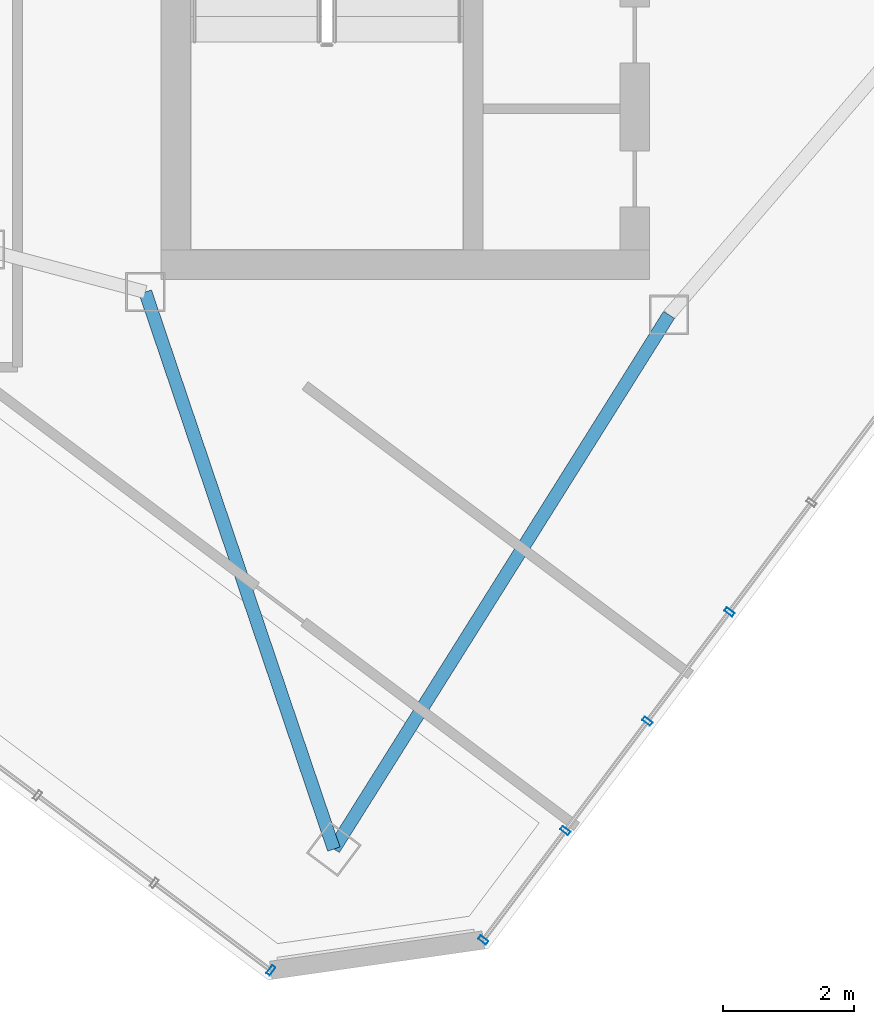
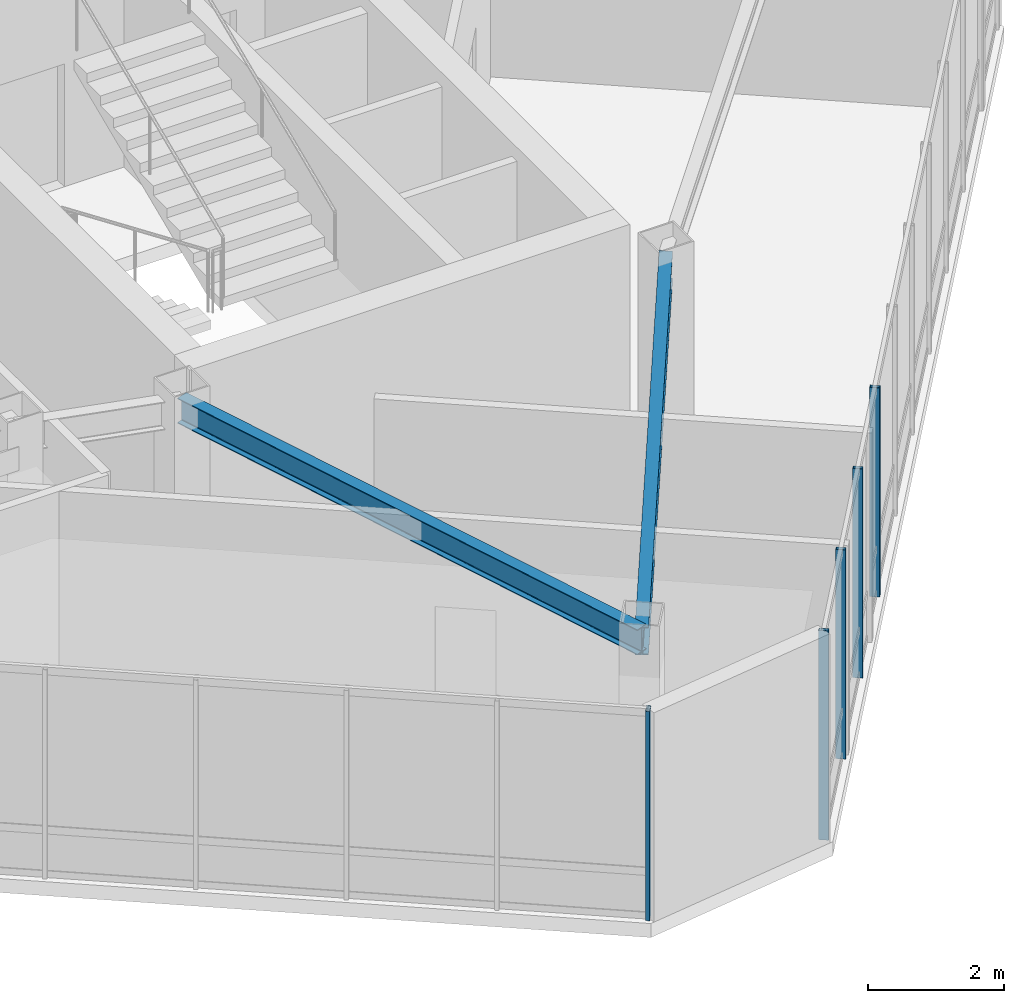
# One storey, part 7 of 30: 5 members, 2 beams, 2 elements without a shape of their own.
"""IFC4 building model written with IfcOpenShell, lengths in metres."""

import ifcopenshell
import ifcopenshell.guid

model = None  # the IFC model being written
_history = None  # IfcOwnerHistory: only IFC2X3 demands one
_inside = {}  # id of a spatial element -> (the spatial element, [elements in it])
_under = {}  # id of a project, library or spatial element -> (it, [spatial elements below it])
_declared = {}  # id of a project -> (the project, [libraries it declares])
_typed = {}  # id of a type object -> (the type object, [elements of that type])
_made_of = {}  # id of a material, layer set ... -> (it, [elements and type objects made of it])


def new_model(schema):
    """Start an empty IFC model of exactly this schema.

    Asked for "IFC4X3", IfcOpenShell would pick the latest addendum, in which some entities
    have other attributes; the version numbers below select the first issue.
    IFC2X3 requires an IfcOwnerHistory on every rooted entity: one is made here for all.
    """
    global model, _history
    if schema == "IFC4X3":
        model = ifcopenshell.file(schema_version=(4, 3, 0, 0))
    else:
        model = ifcopenshell.file(schema=schema)
    _inside.clear()
    _under.clear()
    _declared.clear()
    _typed.clear()
    _made_of.clear()
    _history = None
    if model.schema == "IFC2X3":
        org = make("IfcOrganization", Name="unknown")
        user = make(
            "IfcPersonAndOrganization",
            ThePerson=make("IfcPerson", FamilyName="unknown"),
            TheOrganization=org,
        )
        app = make(
            "IfcApplication",
            ApplicationDeveloper=org,
            Version="unknown",
            ApplicationFullName="unknown",
            ApplicationIdentifier="unknown",
        )
        _history = make(
            "IfcOwnerHistory",
            OwningUser=user,
            OwningApplication=app,
            ChangeAction="ADDED",
            CreationDate=0,
        )
    return model


def make(cls, **values):
    """One entity of the class cls with the attributes given. An attribute that is None is left unset."""
    return model.create_entity(
        cls, **{name: value for name, value in values.items() if value is not None}
    )


def rooted(cls, **values):
    """An entity with a GlobalId (a new one), such as an element, a storey or a relation."""
    return make(cls, GlobalId=ifcopenshell.guid.new(), OwnerHistory=_history, **values)


def si_unit(unit_type, name, prefix=None):
    """IfcSIUnit, for example si_unit("LENGTHUNIT", "METRE", prefix="MILLI")."""
    return make("IfcSIUnit", UnitType=unit_type, Prefix=prefix, Name=name)


def assignment(units):
    """IfcUnitAssignment: the units of a project."""
    return None if units is None else make("IfcUnitAssignment", Units=units)


def point(xyz):
    """IfcCartesianPoint."""
    return None if xyz is None else make("IfcCartesianPoint", Coordinates=xyz)


def direction(xyz):
    """IfcDirection."""
    return None if xyz is None else make("IfcDirection", DirectionRatios=xyz)


def frame(location, z_axis=None, x_axis=None):
    """IfcAxis2Placement3D, a coordinate frame: its origin and axes. An axis left out is left unset."""
    return make(
        "IfcAxis2Placement3D",
        Location=point(location),
        Axis=direction(z_axis),
        RefDirection=direction(x_axis),
    )


def frame_2d(location, x_axis=None):
    """IfcAxis2Placement2D, a coordinate frame in the plane: its origin and x axis."""
    return make(
        "IfcAxis2Placement2D", Location=point(location), RefDirection=direction(x_axis)
    )


def origin():
    """The frame at (0, 0, 0) with its axes left unset."""
    return frame((0.0, 0.0, 0.0))


def origin_2d():
    """The frame at (0, 0) in the plane with its x axis left unset."""
    return frame_2d((0.0, 0.0))


def place(relative_to, where):
    """IfcLocalPlacement: puts the frame where relative to a parent placement (None: the world)."""
    return make(
        "IfcLocalPlacement", PlacementRelTo=relative_to, RelativePlacement=where
    )


def context(
    kind, dimensions, precision=None, world=None, true_north=None, identifier=None
):
    """IfcGeometricRepresentationContext, for example the 3D "Model" context."""
    return make(
        "IfcGeometricRepresentationContext",
        ContextIdentifier=identifier,
        ContextType=kind,
        CoordinateSpaceDimension=dimensions,
        Precision=precision,
        WorldCoordinateSystem=world,
        TrueNorth=true_north,
    )


def subcontext(parent, identifier, kind, view, scale=None):
    """IfcGeometricRepresentationSubContext, for example "Body" below "Model"."""
    return make(
        "IfcGeometricRepresentationSubContext",
        ContextIdentifier=identifier,
        ContextType=kind,
        ParentContext=parent,
        TargetScale=scale,
        TargetView=view,
    )


def project(units=None, contexts=None):
    """IfcProject with its units and contexts."""
    return rooted(
        "IfcProject",
        Name="project",
        RepresentationContexts=contexts,
        UnitsInContext=assignment(units),
    )


def spatial(cls, under=None, at=None, **own):
    """A site, building, storey or space (cls), placed at a placement, below another one or the project."""
    s = rooted(cls, ObjectPlacement=at, **own)
    if under is not None:
        _under.setdefault(under.id(), (under, []))[1].append(s)
    return s


def profile(cls, at=None, kind="AREA", **sizes):
    """A parametric profile (cls). Its sizes go by their IFC names, for example OverallWidth=200.0."""
    return make(cls, ProfileType=kind, Position=at, **sizes)


def hollow_rectangle(**sizes):
    """IfcRectangleHollowProfileDef."""
    return profile("IfcRectangleHollowProfileDef", **sizes)


def i_section(**sizes):
    """IfcIShapeProfileDef."""
    return profile("IfcIShapeProfileDef", **sizes)


def extrude(swept, where, along, depth):
    """IfcExtrudedAreaSolid: the profile swept, set in the frame where, extruded along a direction by depth."""
    return make(
        "IfcExtrudedAreaSolid",
        SweptArea=swept,
        Position=where,
        ExtrudedDirection=direction(along),
        Depth=depth,
    )


def shape(context_of_items, identifier, shape_type, items):
    """IfcShapeRepresentation: the items that make up one representation, for example the "Body"."""
    return make(
        "IfcShapeRepresentation",
        ContextOfItems=context_of_items,
        RepresentationIdentifier=identifier,
        RepresentationType=shape_type,
        Items=items,
    )


def material(Name=None, Category=None):
    """IfcMaterial."""
    return make("IfcMaterial", Name=Name, Category=Category)


def layer(
    of_material, thickness, ventilated=None, Name=None, Category=None, Priority=None
):
    """IfcMaterialLayer: one layer of a wall or slab, of a material (None: an air gap)."""
    return make(
        "IfcMaterialLayer",
        Material=of_material,
        LayerThickness=thickness,
        IsVentilated=ventilated,
        Name=Name,
        Category=Category,
        Priority=Priority,
    )


def layer_set(layers, Name=None):
    """IfcMaterialLayerSet."""
    return make("IfcMaterialLayerSet", MaterialLayers=layers, LayerSetName=Name)


def material_profile(
    of_material, cross_section, Name=None, Category=None, Priority=None
):
    """IfcMaterialProfile: a cross section and its material."""
    return make(
        "IfcMaterialProfile",
        Name=Name,
        Material=of_material,
        Profile=cross_section,
        Priority=Priority,
        Category=Category,
    )


def profile_set(profiles, Name=None, composite=None):
    """IfcMaterialProfileSet."""
    return make(
        "IfcMaterialProfileSet",
        Name=Name,
        MaterialProfiles=profiles,
        CompositeProfile=composite,
    )


def made_of(thing, what):
    """Note that an element or type object is made of a material, layer set ...; save() writes the relation."""
    if what is not None:
        _made_of.setdefault(what.id(), (what, []))[1].append(thing)
    return thing


def type_object(cls, material=None, **own):
    """A type object (cls), such as IfcWallType, which elements share."""
    return made_of(rooted(cls, **own), material)


def element(
    cls,
    number,
    at=None,
    inside=None,
    cuts=None,
    type_object=None,
    material=None,
    context=None,
    identifier="Body",
    shape_type=None,
    held_by="IfcProductDefinitionShape",
    body=None,
    shapes=None,
    **own,
):
    """One element of the class cls, such as IfcWall. Its Tag is "e" and its number.

    at: its placement. inside: the storey or other place that contains it. cuts: it is an
    opening in that element (IfcRelVoidsElement). A single representation is given by context,
    identifier, shape_type and body (its items); several are given by shapes. held_by: the class
    of the entity that holds the representations. save() writes the other relations.
    """
    e = rooted(cls, Tag="e%d" % number, ObjectPlacement=at, **own)
    if body is not None:
        shapes = [shape(context, identifier, shape_type, body)]
    if shapes is not None:
        e.Representation = make(held_by, Representations=shapes)
    if inside is not None:
        _inside.setdefault(inside.id(), (inside, []))[1].append(e)
    if cuts is not None:
        rooted(
            "IfcRelVoidsElement", RelatingBuildingElement=cuts, RelatedOpeningElement=e
        )
    if type_object is not None:
        _typed.setdefault(type_object.id(), (type_object, []))[1].append(e)
    return made_of(e, material)


def aggregate(whole, parts):
    """IfcRelAggregates: a whole, such as a stair, and the parts it consists of."""
    return rooted("IfcRelAggregates", RelatingObject=whole, RelatedObjects=parts)


def save(model, path):
    """Write the relations noted so far, then the file.

    IfcRelAggregates (storeys below a building ...), IfcRelContainedInSpatialStructure (elements
    in a storey), IfcRelDefinesByType, IfcRelAssociatesMaterial and IfcRelDeclares: one each for
    every whole, place, type object, material and project.
    """
    for whole, parts in _under.values():
        aggregate(whole, parts)
    for where, things in _inside.values():
        rooted(
            "IfcRelContainedInSpatialStructure",
            RelatedElements=things,
            RelatingStructure=where,
        )
    for kind, things in _typed.values():
        rooted("IfcRelDefinesByType", RelatedObjects=things, RelatingType=kind)
    for what, things in _made_of.values():
        rooted("IfcRelAssociatesMaterial", RelatedObjects=things, RelatingMaterial=what)
    for by, libraries in _declared.values():
        rooted("IfcRelDeclares", RelatingContext=by, RelatedDefinitions=libraries)
    model.write(path)


model = new_model("IFC4")

# Units and contexts
model_context = context("Model", 3, precision=1e-05, world=origin(), true_north=direction((0.0, 1.0)))
body_context = subcontext(model_context, "Body", "Model", "MODEL_VIEW")
ifc_project = project(units=[si_unit("LENGTHUNIT", "METRE"), si_unit("AREAUNIT", "SQUARE_METRE"), si_unit("VOLUMEUNIT", "CUBIC_METRE"), si_unit("PLANEANGLEUNIT", "RADIAN"), si_unit("MASSUNIT", "GRAM", prefix="KILO")], contexts=[model_context])

# Site, building, storey
site_placement = place(None, origin())
site = spatial("IfcSite", under=ifc_project, at=site_placement, CompositionType="ELEMENT")
building_placement = place(site_placement, origin())
building = spatial("IfcBuilding", under=site, at=building_placement, Name="Hatsunagi Terrace Concourse", CompositionType="ELEMENT")
storey_placement = place(building_placement, frame((0.0, 0.0, 273.949951171875)))
storey = spatial("IfcBuildingStorey", under=building, at=storey_placement, Name="L72", CompositionType="ELEMENT", Elevation=273.949951171875)

# Beam
ifc_material_1 = material(Name="Steel SN490B", Category="steel")
ifc_material_profile_1 = material_profile(ifc_material_1, i_section(OverallWidth=0.199951171875, OverallDepth=0.5, WebThickness=0.010009765625, FlangeThickness=0.01611328125, FilletRadius=0.01611328125, at=origin_2d()), Name="H-500x200x10x16")
ifc_profile_set_1 = profile_set([ifc_material_profile_1], Name="Steel SN490B")
beam_type_1 = type_object("IfcBeamType", Name="CrownFloorGirder_H_500x200", PredefinedType="BEAM", material=ifc_profile_set_1)
beam_1_placement = place(storey_placement, frame((38.679931640625, 16.0400390625, 3.5), z_axis=(0.531503907049, 0.847055840421, 0.0), x_axis=(-0.847055840421, 0.531503907049, 0.0)))
element("IfcBeam", 1, at=beam_1_placement, inside=storey, type_object=beam_type_1, Name="Beam G-07 BM-L72-SET-1A", PredefinedType="BEAM", context=body_context, shape_type="SweptSolid", body=[
    extrude(i_section(OverallWidth=0.199951171875, OverallDepth=0.5, WebThickness=0.010009765625, FlangeThickness=0.01611328125, FilletRadius=0.01611328125, at=origin_2d()), origin(), (0.0, 0.0, 1.0), 9.63330078125),
])

# Curtain wall, members
ifc_material_2 = material(Name="Anodised Aluminium Alloy 6063-T5", Category="aluminium")
ifc_layer = layer(ifc_material_2, 0.199951171875)
ifc_layer_set = layer_set([ifc_layer], Name="CrownWintergarden_CW06")
curtain_wall_type = type_object("IfcCurtainWallType", Name="CrownWintergarden_CW06", PredefinedType="NOTDEFINED", material=ifc_layer_set)
curtain_wall_1_placement = place(storey_placement, origin())
curtain_wall_1 = element("IfcCurtainWall", 2, at=curtain_wall_1_placement, inside=storey, type_object=curtain_wall_type, Name="Unitised Curtain Wall CW-06 CW-L72-03", PredefinedType="NOTDEFINED")
ifc_material_3 = material(Name="Anodised Aluminium Alloy 6063-T5", Category="aluminium")
ifc_material_profile_2 = material_profile(ifc_material_3, hollow_rectangle(XDim=0.06494140625, YDim=0.14990234375, WallThickness=0.00390625, at=origin_2d()), Name="ALU-MUL-150x65x4")
ifc_profile_set_2 = profile_set([ifc_material_profile_2], Name="Anodised Aluminium Alloy 6063-T5")
member_type = type_object("IfcMemberType", Name="CurtainWallMullion_Crown_150x65", PredefinedType="MULLION", material=ifc_profile_set_2)
member_1_placement = place(storey_placement, frame((44.721923828125, 19.662109375, 0.0), z_axis=(0.0, 0.0, 1.0), x_axis=(-0.599969314634, -0.800023013105, 0.0)))
member_1 = element("IfcMember", 3, at=member_1_placement, type_object=member_type, Name="Curtain Wall Mullion MUL-03", PredefinedType="MULLION", context=body_context, shape_type="SweptSolid", body=[
    extrude(hollow_rectangle(XDim=0.06494140625, YDim=0.14990234375, WallThickness=0.00390625, at=origin_2d()), origin(), (0.0, 0.0, 1.0), 3.75),
])
member_2_placement = place(storey_placement, frame((43.468994140625, 17.991943359375, 0.0), z_axis=(0.0, 0.0, 1.0), x_axis=(-0.599969314634, -0.800023013105, 0.0)))
member_2 = element("IfcMember", 4, at=member_2_placement, type_object=member_type, Name="Curtain Wall Mullion MUL-03", PredefinedType="MULLION", context=body_context, shape_type="SweptSolid", body=[
    extrude(hollow_rectangle(XDim=0.06494140625, YDim=0.14990234375, WallThickness=0.00390625, at=origin_2d()), origin(), (0.0, 0.0, 1.0), 3.75),
])
member_3_placement = place(storey_placement, frame((42.216064453125, 16.321044921875, 0.0), z_axis=(0.0, 0.0, 1.0), x_axis=(-0.599969314634, -0.800023013105, 0.0)))
member_3 = element("IfcMember", 5, at=member_3_placement, type_object=member_type, Name="Curtain Wall Mullion MUL-03", PredefinedType="MULLION", context=body_context, shape_type="SweptSolid", body=[
    extrude(hollow_rectangle(XDim=0.06494140625, YDim=0.14990234375, WallThickness=0.00390625, at=origin_2d()), origin(), (0.0, 0.0, 1.0), 3.75),
])
member_4_placement = place(storey_placement, frame((40.962890625, 14.64990234375, 0.0), z_axis=(0.0, 0.0, 1.0), x_axis=(-0.599969314634, -0.800023013105, 0.0)))
member_4 = element("IfcMember", 6, at=member_4_placement, type_object=member_type, Name="Curtain Wall Mullion MUL-03", PredefinedType="MULLION", context=body_context, shape_type="SweptSolid", body=[
    extrude(hollow_rectangle(XDim=0.06494140625, YDim=0.14990234375, WallThickness=0.00390625, at=origin_2d()), origin(), (0.0, 0.0, 1.0), 3.75),
])
aggregate(curtain_wall_1, [member_1, member_2, member_3, member_4])

# Curtain wall, member
curtain_wall_2_placement = place(storey_placement, origin())
curtain_wall_2 = element("IfcCurtainWall", 7, at=curtain_wall_2_placement, inside=storey, type_object=curtain_wall_type, Name="Unitised Curtain Wall CW-06 CW-L72-05", PredefinedType="NOTDEFINED")
member_5_placement = place(storey_placement, frame((37.718017578125, 14.18701171875, 0.0), z_axis=(0.0, 0.0, 1.0), x_axis=(-0.800007305671, 0.599990258982, 0.0)))
member_5 = element("IfcMember", 8, at=member_5_placement, type_object=member_type, Name="Curtain Wall Mullion MUL-03", PredefinedType="MULLION", context=body_context, shape_type="SweptSolid", body=[
    extrude(hollow_rectangle(XDim=0.06494140625, YDim=0.14990234375, WallThickness=0.00390625, at=origin_2d()), origin(), (0.0, 0.0, 1.0), 3.75),
])
aggregate(curtain_wall_2, [member_5])

# Beam
ifc_material_4 = material(Name="Steel SN490B", Category="steel")
ifc_material_profile_3 = material_profile(ifc_material_4, i_section(OverallWidth=0.199951171875, OverallDepth=0.449951171875, WebThickness=0.009033203125, FlangeThickness=0.013916015625, FilletRadius=0.01611328125, at=origin_2d()), Name="H-450x200x9x14")
ifc_profile_set_3 = profile_set([ifc_material_profile_3], Name="Steel SN490B")
beam_type_2 = type_object("IfcBeamType", Name="PerimeterSpandrel_H_450x200", PredefinedType="SPANDREL", material=ifc_profile_set_3)
beam_2_placement = place(storey_placement, frame((35.800048828125, 24.550048828125, 3.525146484375), z_axis=(0.320553412271, -0.947230441805, 0.0), x_axis=(0.947230441805, 0.320553412271, 0.0)))
element("IfcBeam", 9, at=beam_2_placement, inside=storey, type_object=beam_type_2, Name="Beam SP-02 BM-L72-SE-SW0", PredefinedType="SPANDREL", context=body_context, shape_type="SweptSolid", body=[
    extrude(i_section(OverallWidth=0.199951171875, OverallDepth=0.449951171875, WebThickness=0.009033203125, FlangeThickness=0.013916015625, FilletRadius=0.01611328125, at=origin_2d()), origin(), (0.0, 0.0, 1.0), 8.984130859375),
])

save(model, "model.ifc")
